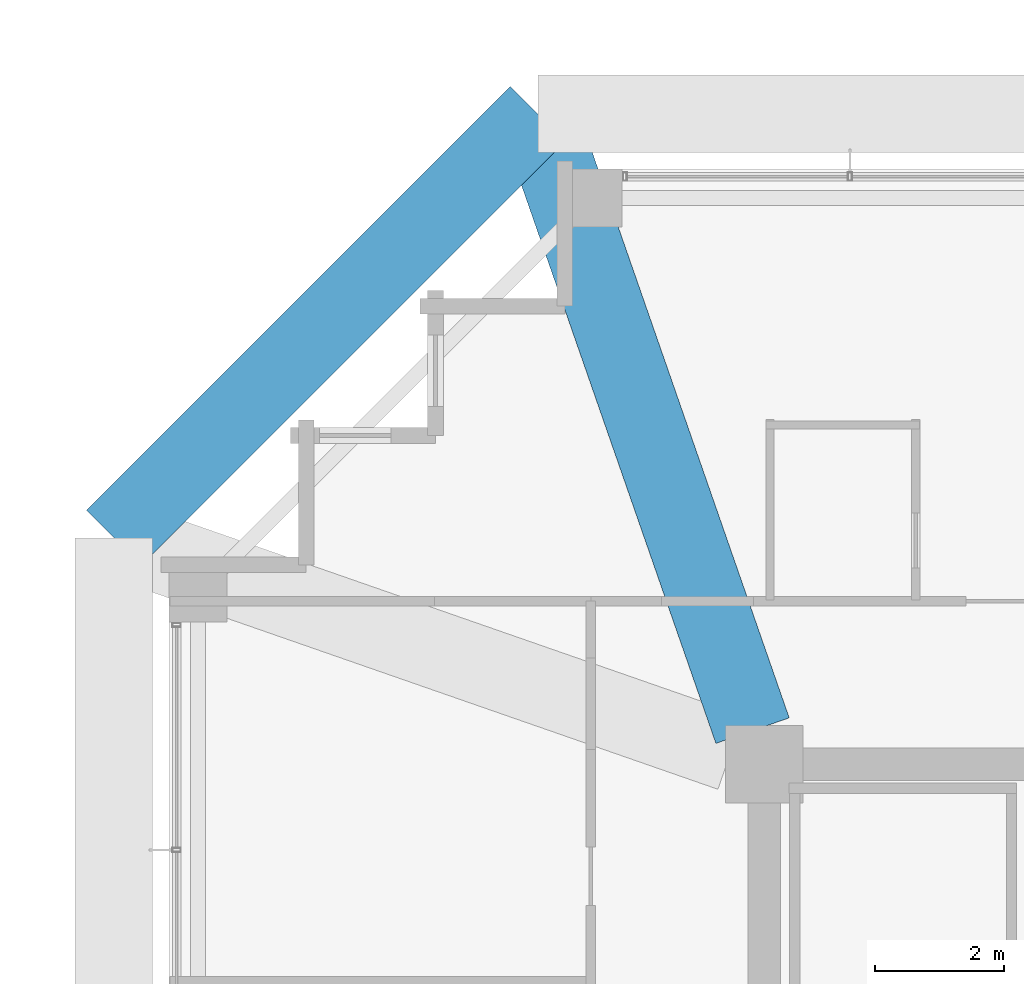
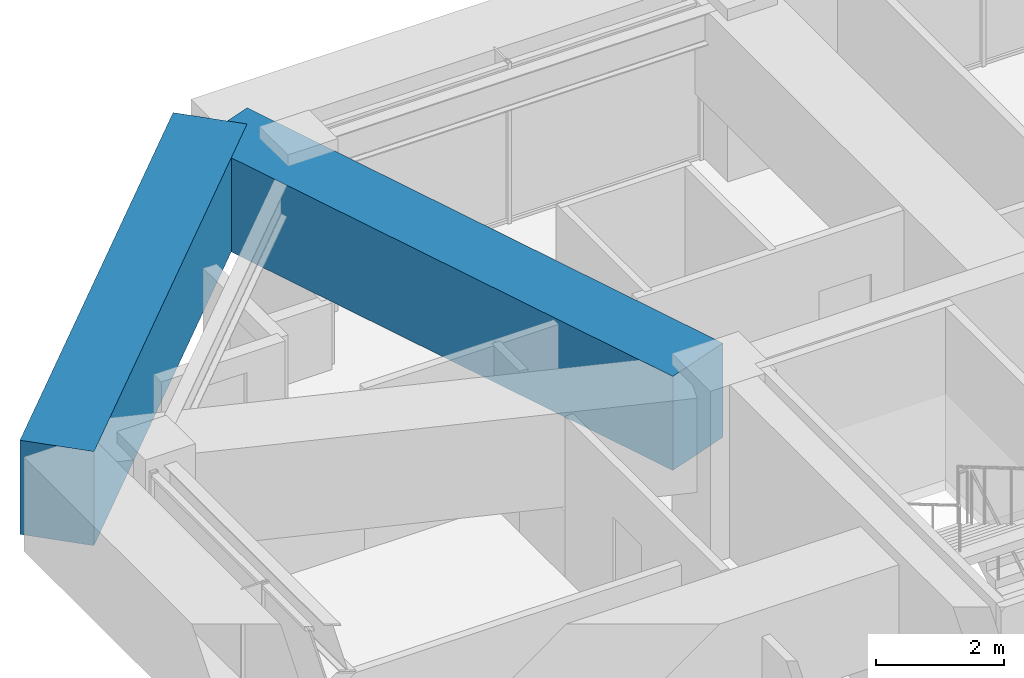
# One storey, part 22 of 40: 2 beams.
"""IFC4 building model written with IfcOpenShell, lengths in metres."""

from ifc_helpers import new_model, si_unit, direction, frame, origin, origin_2d, place, context, subcontext, project, spatial, rectangle, extrude, material, material_profile, profile_set, type_object, element, save


model = new_model("IFC4")

# Units and contexts
model_context = context("Model", 3, precision=1e-05, world=origin(), true_north=direction((0.0, 1.0)))
body_context = subcontext(model_context, "Body", "Model", "MODEL_VIEW")
ifc_project = project(units=[si_unit("LENGTHUNIT", "METRE"), si_unit("AREAUNIT", "SQUARE_METRE"), si_unit("VOLUMEUNIT", "CUBIC_METRE"), si_unit("PLANEANGLEUNIT", "RADIAN"), si_unit("MASSUNIT", "GRAM", prefix="KILO")], contexts=[model_context])

# Site, building, storey
site_placement = place(None, origin())
site = spatial("IfcSite", under=ifc_project, at=site_placement, CompositionType="ELEMENT")
building_placement = place(site_placement, origin())
building = spatial("IfcBuilding", under=site, at=building_placement, Name="Kolvaren Belvedere", CompositionType="ELEMENT")
storey_placement = place(building_placement, frame((0.0, 0.0, 170.10009765625)))
storey = spatial("IfcBuildingStorey", under=building, at=storey_placement, Name="L49", CompositionType="ELEMENT", Elevation=170.10009765625)

# Beams
ifc_material = material(Name="Concrete C50/60", Category="concrete")
ifc_material_profile = material_profile(ifc_material, rectangle(XDim=1.199951171875, YDim=1.800048828125, at=origin_2d()), Name="RC 1200X1800")
ifc_profile_set = profile_set([ifc_material_profile], Name="Concrete C50/60")
beam_type = type_object("IfcBeamType", Name="BM-TG-1800", PredefinedType="BEAM", material=ifc_profile_set)
beam_1_placement = place(storey_placement, frame((-13.39990234375, 19.949951171875, 2.179931640625), z_axis=(-0.707106781187, -0.707106781187, 0.0), x_axis=(0.707106781187, -0.707106781187, 0.0)))
element("IfcBeam", 1, at=beam_1_placement, inside=storey, type_object=beam_type, Name="L49 Step Transfer Ring Girder N1-W4", PredefinedType="BEAM", context=body_context, shape_type="SweptSolid", body=[
    extrude(rectangle(XDim=1.199951171875, YDim=1.800048828125, at=origin_2d()), origin(), (0.0, 0.0, 1.0), 9.26318359375),
])
beam_2_placement = place(storey_placement, frame((-10.080810546875, 10.41943359375, 2.179931640625), z_axis=(-0.328902560054, 0.944363863132, 0.0), x_axis=(-0.944363863132, -0.328902560054, 0.0)))
element("IfcBeam", 2, at=beam_2_placement, inside=storey, type_object=beam_type, Name="L49 Corner Core-to-Perimeter Girder CC4-N1", PredefinedType="BEAM", context=body_context, shape_type="SweptSolid", body=[
    extrude(rectangle(XDim=1.199951171875, YDim=1.800048828125, at=origin_2d()), origin(), (0.0, 0.0, 1.0), 9.842041015625),
])

save(model, "model.ifc")
